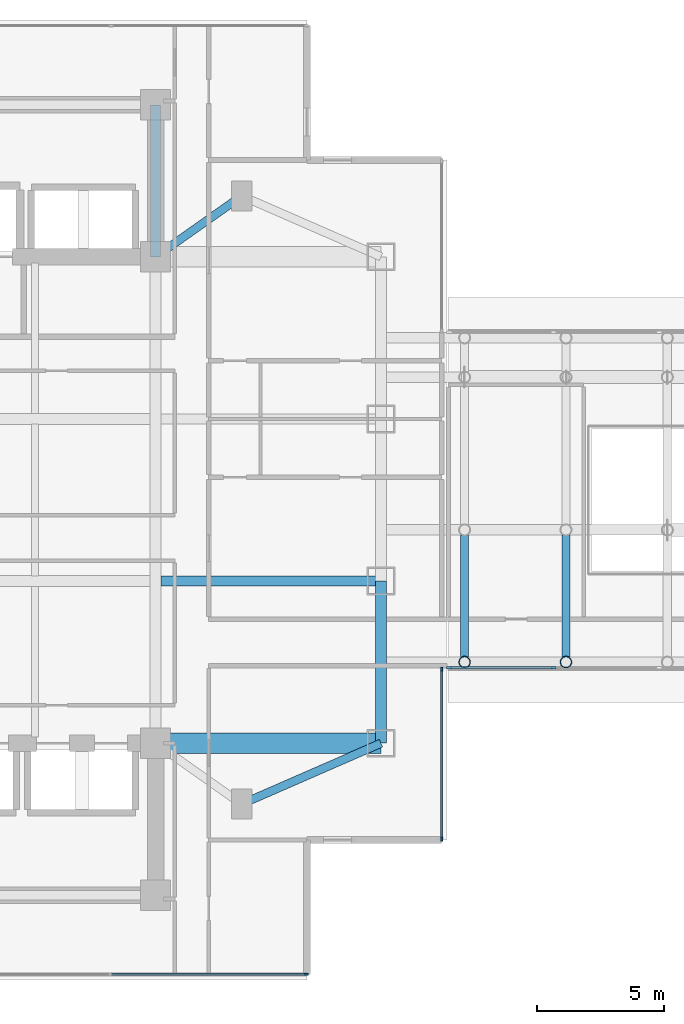
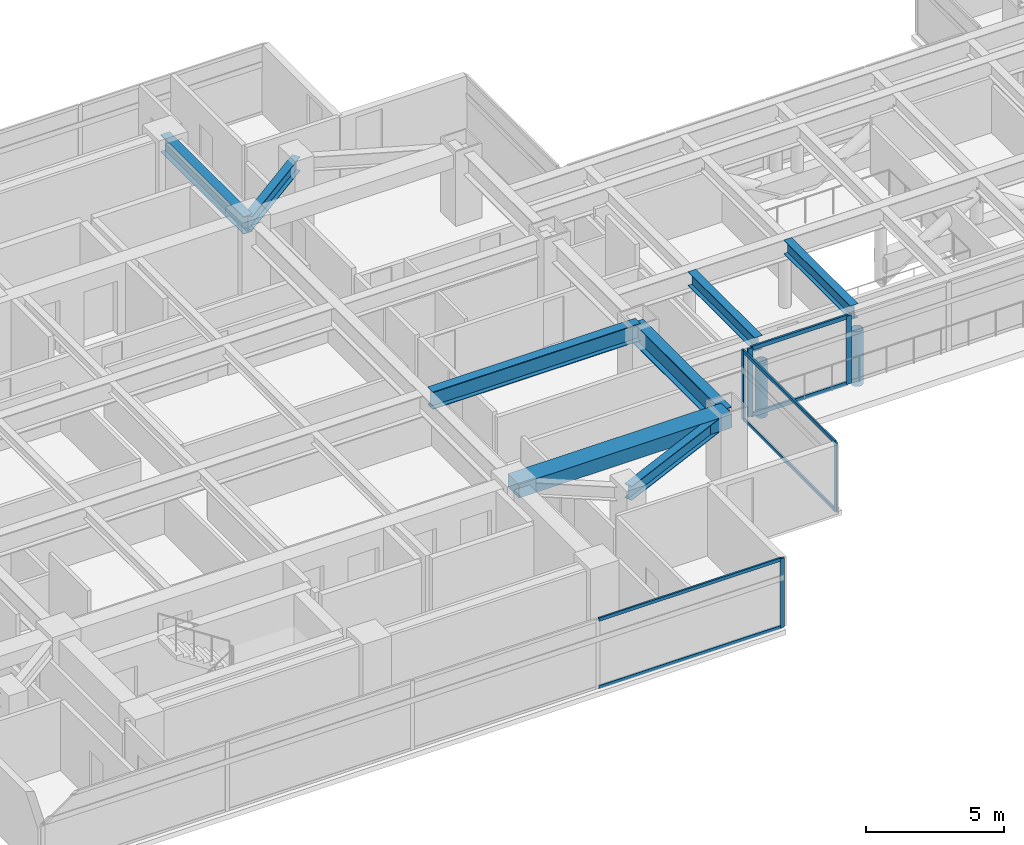
# One storey, part 4 of 27: 13 members, 8 beams, 3 elements without a shape of their own.
"""IFC4 building model written with IfcOpenShell, lengths in metres."""

from ifc_helpers import new_model, si_unit, direction, frame, origin, origin_2d, place, context, subcontext, project, spatial, rectangle, hollow_circle, i_section, extrude, material, material_profile, profile_set, type_object, element, aggregate, save


model = new_model("IFC4")

# Units and contexts
model_context = context("Model", 3, precision=1e-05, world=origin(), true_north=direction((0.0, 1.0)))
body_context = subcontext(model_context, "Body", "Model", "MODEL_VIEW")
ifc_project = project(units=[si_unit("LENGTHUNIT", "METRE"), si_unit("AREAUNIT", "SQUARE_METRE"), si_unit("VOLUMEUNIT", "CUBIC_METRE"), si_unit("PLANEANGLEUNIT", "RADIAN"), si_unit("MASSUNIT", "GRAM", prefix="KILO")], contexts=[model_context])

# Site, building, storey
site_placement = place(None, origin())
site = spatial("IfcSite", under=ifc_project, at=site_placement, CompositionType="ELEMENT")
building_placement = place(site_placement, origin())
building = spatial("IfcBuilding", under=site, at=building_placement, Name="Mirazonda Arch Towers", CompositionType="ELEMENT")
storey_placement = place(building_placement, frame((0.0, 0.0, 95.0)))
storey = spatial("IfcBuildingStorey", under=building, at=storey_placement, Name="L26", CompositionType="ELEMENT", Elevation=95.0)

# Beams
ifc_material_1 = material(Name="Steel ASTM A992 Grade 50", Category="steel")
ifc_material_profile_1 = material_profile(ifc_material_1, i_section(OverallWidth=0.41796875, OverallDepth=0.927001953125, WebThickness=0.019287109375, FlangeThickness=0.031982421875, at=origin_2d()), Name="W36X231")
ifc_profile_set_1 = profile_set([ifc_material_profile_1], Name="Steel ASTM A992 Grade 50")
beam_type_1 = type_object("IfcBeamType", Name="BM-EXT-W36X231", PredefinedType="USERDEFINED", material=ifc_profile_set_1)
beam_1_placement = place(storey_placement, frame((38.89990234375, 18.39990234375, 2.616455078125), z_axis=(0.0, 1.0, 0.0), x_axis=(-1.0, 0.0, 0.0)))
element("IfcBeam", 1, at=beam_1_placement, inside=storey, type_object=beam_type_1, Name="L26 Floor Beam BM-T1-L26-NS-E-18", ObjectType="GIRDER", PredefinedType="USERDEFINED", context=body_context, shape_type="SweptSolid", body=[
    extrude(i_section(OverallWidth=0.41796875, OverallDepth=0.927001953125, WebThickness=0.019287109375, FlangeThickness=0.031982421875, at=origin_2d()), origin(), (0.0, 0.0, 1.0), 6.400146484375),
])
ifc_material_profile_2 = material_profile(ifc_material_1, i_section(OverallWidth=0.324951171875, OverallDepth=0.615966796875, WebThickness=0.013916015625, FlangeThickness=0.021484375, at=origin_2d()), Name="W24X117")
ifc_profile_set_2 = profile_set([ifc_material_profile_2], Name="Steel ASTM A992 Grade 50")
beam_type_2 = type_object("IfcBeamType", Name="BM-INT-W24X117", PredefinedType="BEAM", material=ifc_profile_set_2)
beam_2_placement = place(storey_placement, frame((33.39990234375, 16.0, 2.77197265625), z_axis=(0.916545343703, 0.399930785183, 0.0), x_axis=(-0.399930785183, 0.916545343703, 0.0)))
element("IfcBeam", 2, at=beam_2_placement, inside=storey, type_object=beam_type_2, Name="L26 Floor Beam BM-T1-L26-PL-SE2", PredefinedType="BEAM", context=body_context, shape_type="SweptSolid", body=[
    extrude(i_section(OverallWidth=0.324951171875, OverallDepth=0.615966796875, WebThickness=0.013916015625, FlangeThickness=0.021484375, at=origin_2d()), origin(), (0.0, 0.0, 1.0), 6.000732421875),
])
beam_3_placement = place(storey_placement, frame((33.39990234375, 40.0, 2.77197265625), z_axis=(-0.816971114901, -0.576678591087, 0.0), x_axis=(0.576678591087, -0.816971114901, 0.0)))
element("IfcBeam", 3, at=beam_3_placement, inside=storey, type_object=beam_type_2, Name="L26 Floor Beam BM-T1-L26-PL-NE1", PredefinedType="BEAM", context=body_context, shape_type="SweptSolid", body=[
    extrude(i_section(OverallWidth=0.324951171875, OverallDepth=0.615966796875, WebThickness=0.013916015625, FlangeThickness=0.021484375, at=origin_2d()), origin(), (0.0, 0.0, 1.0), 4.16162109375),
])
for number, where, z_axis, x_axis, name in (
    (4, (42.199951171875, 21.803955078125, 2.73193359375), (0.0, 1.0, 0.0), (-1.0, 0.0, 0.0), "L26 Floor Beam BM-BRG-L27-XG1A"),
    (5, (46.199951171875, 21.803955078125, 2.73193359375), (0.0, 1.0, 0.0), (-1.0, 0.0, 0.0), "L26 Floor Beam BM-BRG-L27-XG2A"),
):
    element("IfcBeam", number, at=place(storey_placement, frame(where, z_axis=z_axis, x_axis=x_axis)), inside=storey, type_object=beam_type_2, Name=name, PredefinedType="BEAM", context=body_context, shape_type="SweptSolid", body=[
        extrude(i_section(OverallWidth=0.324951171875, OverallDepth=0.615966796875, WebThickness=0.013916015625, FlangeThickness=0.021484375, at=origin_2d()), origin(), (0.0, 0.0, 1.0), 4.81201171875),
    ])
ifc_material_profile_3 = material_profile(ifc_material_1, i_section(OverallWidth=0.381103515625, OverallDepth=0.77294921875, WebThickness=0.0166015625, FlangeThickness=0.027099609375, at=origin_2d()), Name="W30X173")
ifc_profile_set_3 = profile_set([ifc_material_profile_3], Name="Steel ASTM A992 Grade 50")
beam_type_3 = type_object("IfcBeamType", Name="BM-INT-W30X173", PredefinedType="USERDEFINED", material=ifc_profile_set_3)
beam_4_placement = place(storey_placement, frame((30.21142578125, 24.800048828125, 2.693603515625), z_axis=(1.0, 0.0, 0.0), x_axis=(0.0, 1.0, 0.0)))
element("IfcBeam", 6, at=beam_4_placement, inside=storey, type_object=beam_type_3, Name="L26 Floor Beam BM-T1-L26-GE2", ObjectType="GIRDER", PredefinedType="USERDEFINED", context=body_context, shape_type="SweptSolid", body=[
    extrude(i_section(OverallWidth=0.381103515625, OverallDepth=0.77294921875, WebThickness=0.0166015625, FlangeThickness=0.027099609375, at=origin_2d()), origin(), (0.0, 0.0, 1.0), 8.6884765625),
])
beam_5_placement = place(storey_placement, frame((30.0, 37.60009765625, 2.693603515625), z_axis=(0.0, 1.0, 0.0), x_axis=(-1.0, 0.0, 0.0)))
element("IfcBeam", 7, at=beam_5_placement, inside=storey, type_object=beam_type_3, Name="L26 Floor Beam BM-T1-L26-CNE", ObjectType="GIRDER", PredefinedType="USERDEFINED", context=body_context, shape_type="SweptSolid", body=[
    extrude(i_section(OverallWidth=0.381103515625, OverallDepth=0.77294921875, WebThickness=0.0166015625, FlangeThickness=0.027099609375, at=origin_2d()), origin(), (0.0, 0.0, 1.0), 6.0),
])
ifc_material_2 = material(Name="Concrete C60/75", Category="concrete")
ifc_material_profile_4 = material_profile(ifc_material_2, rectangle(XDim=0.800048828125, YDim=0.60009765625, at=origin_2d()), Name="RCCB800x600")
ifc_profile_set_4 = profile_set([ifc_material_profile_4], Name="Concrete C60/75")
beam_type_4 = type_object("IfcBeamType", Name="CB-INT-RCCB800x600", PredefinedType="SPANDREL", material=ifc_profile_set_4)
beam_6_placement = place(storey_placement, frame((30.0, 18.39990234375, 2.780029296875), z_axis=(1.0, 0.0, 0.0), x_axis=(0.0, 1.0, 0.0)))
element("IfcBeam", 8, at=beam_6_placement, inside=storey, type_object=beam_type_4, Name="L26 Floor Beam CBC-T1-L26-SE", PredefinedType="SPANDREL", context=body_context, shape_type="SweptSolid", body=[
    extrude(rectangle(XDim=0.800048828125, YDim=0.60009765625, at=origin_2d()), origin(), (0.0, 0.0, 1.0), 8.89990234375),
])

# Members
ifc_material_3 = material(Name="Steel ASTM A572 Grade 50", Category="steel")
ifc_material_profile_5 = material_profile(ifc_material_3, hollow_circle(Radius=0.228515625, WallThickness=0.02197265625, at=origin_2d()), Name="BELTSTRUT457x22CHS")
ifc_profile_set_5 = profile_set([ifc_material_profile_5], Name="Steel ASTM A572 Grade 50")
member_type_1 = type_object("IfcMemberType", Name="MBR-EXT-BELTSTRUT457x22CHS", PredefinedType="STRUT", material=ifc_profile_set_5)
for number, where, z_axis, x_axis, name in (
    (9, (42.199951171875, 21.60009765625, -0.2900390625), (0.0, 0.0, 1.0), (1.0, 0.0, 0.0), "L26 Skybridge S Vierendeel Post 1"),
    (10, (46.199951171875, 21.60009765625, -0.2900390625), (0.0, 0.0, 1.0), (1.0, 0.0, 0.0), "L26 Skybridge S Vierendeel Post 2"),
):
    element("IfcMember", number, at=place(storey_placement, frame(where, z_axis=z_axis, x_axis=x_axis)), inside=storey, type_object=member_type_1, Name=name, PredefinedType="STRUT", context=body_context, shape_type="SweptSolid", body=[
        extrude(hollow_circle(Radius=0.228515625, WallThickness=0.02197265625, at=origin_2d()), origin(), (0.0, 0.0, 1.0), 2.4130859375),
    ])

# Curtain wall, members
ifc_material_4 = material(Name="Anodised Aluminium and Low-E Glass", Category="aluminium")
curtain_wall_type_1 = type_object("IfcCurtainWallType", Name="CW-BRG-LINK", PredefinedType="NOTDEFINED", material=ifc_material_4)
curtain_wall_1_placement = place(storey_placement, origin())
curtain_wall_1 = element("IfcCurtainWall", 11, at=curtain_wall_1_placement, inside=storey, type_object=curtain_wall_type_1, Name="L26 Skybridge South Glazing CW-L26-BRG-S", PredefinedType="NOTDEFINED")
ifc_material_5 = material(Name="Anodised Aluminium Alloy", Category="aluminium")
ifc_material_profile_6 = material_profile(ifc_material_5, rectangle(XDim=0.0849609375, YDim=0.199951171875, at=origin_2d()), Name="ALU-MULL-85x200")
ifc_profile_set_6 = profile_set([ifc_material_profile_6], Name="Anodised Aluminium Alloy")
member_type_2 = type_object("IfcMemberType", Name="MULL-CW-BRG-LINK", PredefinedType="MULLION", material=ifc_profile_set_6)
member_1_placement = place(storey_placement, frame((45.71533203125, 21.3798828125, 0.0), z_axis=(0.0, 0.0, 1.0), x_axis=(0.0, -1.0, 0.0)))
member_1 = element("IfcMember", 12, at=member_1_placement, type_object=member_type_2, Name="CW-103 mullion 4", PredefinedType="MULLION", context=body_context, shape_type="SweptSolid", body=[
    extrude(rectangle(XDim=0.0849609375, YDim=0.199951171875, at=origin_2d()), origin(), (0.0, 0.0, 1.0), 3.02001953125),
])
member_2_placement = place(storey_placement, frame((41.592529296875, 21.3798828125, 0.0), z_axis=(0.0, 0.0, 1.0), x_axis=(0.0, -1.0, 0.0)))
member_2 = element("IfcMember", 13, at=member_2_placement, type_object=member_type_2, Name="CW-103 mullion 5", PredefinedType="MULLION", context=body_context, shape_type="SweptSolid", body=[
    extrude(rectangle(XDim=0.0849609375, YDim=0.199951171875, at=origin_2d()), origin(), (0.0, 0.0, 1.0), 3.02001953125),
])

# Curtain wall, member
curtain_wall_type_2 = type_object("IfcCurtainWallType", Name="CW-HTL-UNIT", PredefinedType="NOTDEFINED", material=ifc_material_4)
curtain_wall_2_placement = place(storey_placement, origin())
curtain_wall_2 = element("IfcCurtainWall", 14, at=curtain_wall_2_placement, inside=storey, type_object=curtain_wall_type_2, Name="L26 T1 S Facade CW-L26-T1-S", PredefinedType="NOTDEFINED")
ifc_material_profile_7 = material_profile(ifc_material_5, rectangle(XDim=0.074951171875, YDim=0.1650390625, at=origin_2d()), Name="ALU-MULL-75x165")
ifc_profile_set_7 = profile_set([ifc_material_profile_7], Name="Anodised Aluminium Alloy")
member_type_3 = type_object("IfcMemberType", Name="MULL-CW-HTL-UNIT", PredefinedType="MULLION", material=ifc_profile_set_7)
member_3_placement = place(storey_placement, frame((35.947509765625, 9.27392578125, 0.0), z_axis=(0.0, 0.0, 1.0), x_axis=(0.0, -1.0, 0.0)))
member_3 = element("IfcMember", 15, at=member_3_placement, type_object=member_type_3, Name="CW-112 mullion 1", PredefinedType="MULLION", context=body_context, shape_type="SweptSolid", body=[
    extrude(rectangle(XDim=0.074951171875, YDim=0.1650390625, at=origin_2d()), origin(), (0.0, 0.0, 1.0), 3.06005859375),
])

# Curtain wall, members
curtain_wall_3_placement = place(storey_placement, origin())
curtain_wall_3 = element("IfcCurtainWall", 16, at=curtain_wall_3_placement, inside=storey, type_object=curtain_wall_type_2, Name="L26 Curtain Wall CW-L26-T1-E1", PredefinedType="NOTDEFINED")
member_4_placement = place(storey_placement, frame((41.2900390625, 14.616455078125, 0.0), z_axis=(0.0, 0.0, 1.0), x_axis=(-1.0, 0.0, 0.0)))
member_4 = element("IfcMember", 17, at=member_4_placement, type_object=member_type_3, Name="CW-112 mullion 1", PredefinedType="MULLION", context=body_context, shape_type="SweptSolid", body=[
    extrude(rectangle(XDim=0.074951171875, YDim=0.1650390625, at=origin_2d()), origin(), (0.0, 0.0, 1.0), 3.06005859375),
])
member_5_placement = place(storey_placement, frame((41.2900390625, 21.322509765625, 0.0), z_axis=(0.0, 0.0, 1.0), x_axis=(-1.0, 0.0, 0.0)))
member_5 = element("IfcMember", 18, at=member_5_placement, type_object=member_type_3, Name="CW-112 mullion 2", PredefinedType="MULLION", context=body_context, shape_type="SweptSolid", body=[
    extrude(rectangle(XDim=0.074951171875, YDim=0.1650390625, at=origin_2d()), origin(), (0.0, 0.0, 1.0), 3.06005859375),
])

# Member
ifc_material_profile_8 = material_profile(ifc_material_5, rectangle(XDim=0.0849609375, YDim=0.179931640625, at=origin_2d()), Name="ALU-TRAN-85x180")
ifc_profile_set_8 = profile_set([ifc_material_profile_8], Name="Anodised Aluminium Alloy")
member_type_4 = type_object("IfcMemberType", Name="TRAN-CW-BRG-LINK", PredefinedType="USERDEFINED", material=ifc_profile_set_8)
member_6_placement = place(storey_placement, frame((45.6728515625, 21.3798828125, 0.04248046875), z_axis=(-1.0, 0.0, 0.0), x_axis=(0.0, -1.0, 0.0)))
member_6 = element("IfcMember", 19, at=member_6_placement, type_object=member_type_4, Name="CW-103 transom 4.1", ObjectType="TRANSOM", PredefinedType="USERDEFINED", context=body_context, shape_type="SweptSolid", body=[
    extrude(rectangle(XDim=0.0849609375, YDim=0.179931640625, at=origin_2d()), origin(), (0.0, 0.0, 1.0), 4.037841796875),
])

member_7_placement = place(storey_placement, frame((45.6728515625, 21.3798828125, 2.9775390625), z_axis=(-1.0, 0.0, 0.0), x_axis=(0.0, -1.0, 0.0)))
member_7 = element("IfcMember", 20, at=member_7_placement, type_object=member_type_4, Name="CW-103 transom 4.2", ObjectType="TRANSOM", PredefinedType="USERDEFINED", context=body_context, shape_type="SweptSolid", body=[
    extrude(rectangle(XDim=0.0849609375, YDim=0.179931640625, at=origin_2d()), origin(), (0.0, 0.0, 1.0), 4.037841796875),
])

aggregate(curtain_wall_1, [member_1, member_2, member_6, member_7])

ifc_material_profile_9 = material_profile(ifc_material_5, rectangle(XDim=0.074951171875, YDim=0.14501953125, at=origin_2d()), Name="ALU-TRAN-75x145")
ifc_profile_set_9 = profile_set([ifc_material_profile_9], Name="Anodised Aluminium Alloy")
member_type_5 = type_object("IfcMemberType", Name="TRAN-CW-HTL-UNIT", PredefinedType="USERDEFINED", material=ifc_profile_set_9)
member_8_placement = place(storey_placement, frame((35.909912109375, 9.27392578125, 0.03759765625), z_axis=(-1.0, 0.0, 0.0), x_axis=(0.0, -1.0, 0.0)))
member_8 = element("IfcMember", 21, at=member_8_placement, type_object=member_type_5, Name="CW-112 transom 1.1", ObjectType="TRANSOM", PredefinedType="USERDEFINED", context=body_context, shape_type="SweptSolid", body=[
    extrude(rectangle(XDim=0.074951171875, YDim=0.14501953125, at=origin_2d()), origin(), (0.0, 0.0, 1.0), 7.6298828125),
])

member_9_placement = place(storey_placement, frame((35.909912109375, 9.27392578125, 3.0224609375), z_axis=(-1.0, 0.0, 0.0), x_axis=(0.0, -1.0, 0.0)))
member_9 = element("IfcMember", 22, at=member_9_placement, type_object=member_type_5, Name="CW-112 transom 1.2", ObjectType="TRANSOM", PredefinedType="USERDEFINED", context=body_context, shape_type="SweptSolid", body=[
    extrude(rectangle(XDim=0.074951171875, YDim=0.14501953125, at=origin_2d()), origin(), (0.0, 0.0, 1.0), 7.6298828125),
])

aggregate(curtain_wall_2, [member_3, member_8, member_9])

member_10_placement = place(storey_placement, frame((41.2900390625, 14.654052734375, 0.03759765625), z_axis=(0.0, 1.0, 0.0), x_axis=(-1.0, 0.0, 0.0)))
member_10 = element("IfcMember", 23, at=member_10_placement, type_object=member_type_5, Name="CW-112 transom 1.1", ObjectType="TRANSOM", PredefinedType="USERDEFINED", context=body_context, shape_type="SweptSolid", body=[
    extrude(rectangle(XDim=0.074951171875, YDim=0.14501953125, at=origin_2d()), origin(), (0.0, 0.0, 1.0), 6.630859375),
])

member_11_placement = place(storey_placement, frame((41.2900390625, 14.654052734375, 3.0224609375), z_axis=(0.0, 1.0, 0.0), x_axis=(-1.0, 0.0, 0.0)))
member_11 = element("IfcMember", 24, at=member_11_placement, type_object=member_type_5, Name="CW-112 transom 1.2", ObjectType="TRANSOM", PredefinedType="USERDEFINED", context=body_context, shape_type="SweptSolid", body=[
    extrude(rectangle(XDim=0.074951171875, YDim=0.14501953125, at=origin_2d()), origin(), (0.0, 0.0, 1.0), 6.630859375),
])

aggregate(curtain_wall_3, [member_4, member_5, member_10, member_11])

save(model, "model.ifc")
